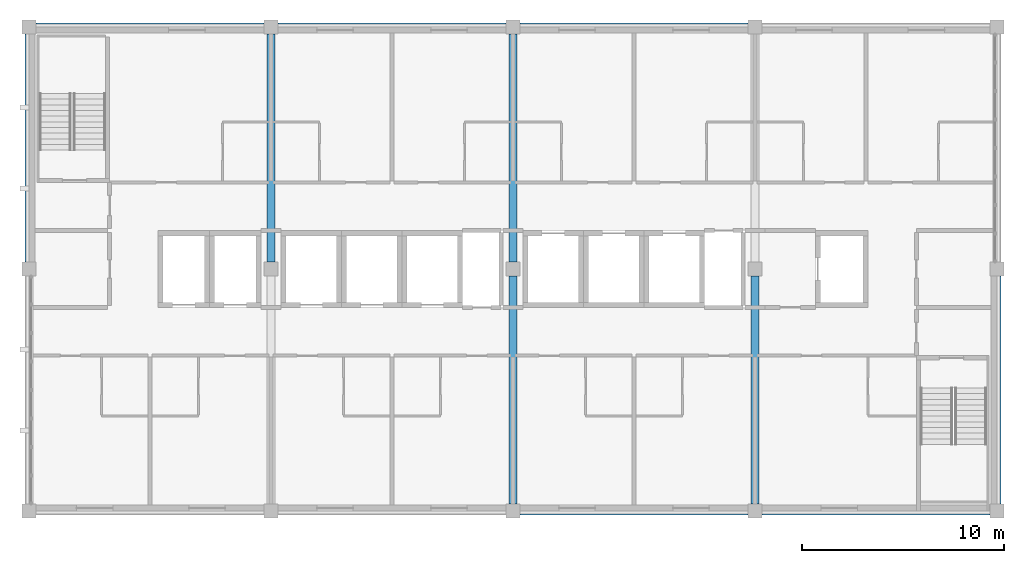
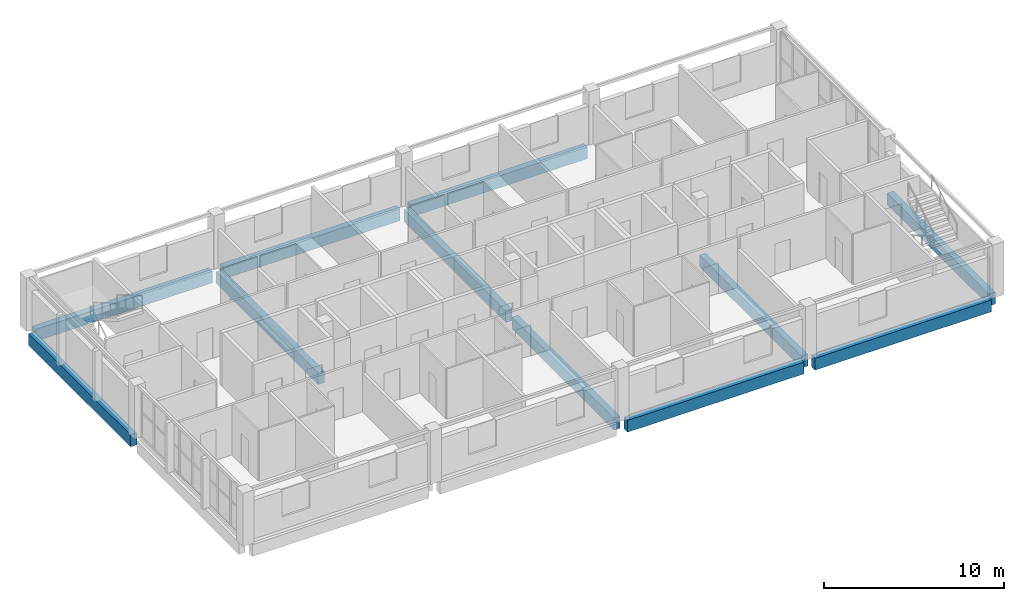
# One storey, part 3 of 11: 11 beams.
"""IFC4 building model written with IfcOpenShell, lengths in metres."""

from ifc_helpers import new_model, si_unit, direction, frame, origin, origin_2d, place, context, subcontext, project, spatial, rectangle, extrude, material, material_profile, profile_set, type_object, element, save


model = new_model("IFC4")

# Units and contexts
model_context = context("Model", 3, precision=1e-05, world=origin(), true_north=direction((0.0, 1.0)))
body_context = subcontext(model_context, "Body", "Model", "MODEL_VIEW")
ifc_project = project(units=[si_unit("LENGTHUNIT", "METRE"), si_unit("AREAUNIT", "SQUARE_METRE"), si_unit("VOLUMEUNIT", "CUBIC_METRE"), si_unit("PLANEANGLEUNIT", "RADIAN"), si_unit("MASSUNIT", "GRAM", prefix="KILO")], contexts=[model_context])

# Site, building, storey
site_placement = place(None, origin())
site = spatial("IfcSite", under=ifc_project, at=site_placement, CompositionType="ELEMENT")
building_placement = place(site_placement, origin())
building = spatial("IfcBuilding", under=site, at=building_placement, Name="Lilac Gate Convention Centre", CompositionType="ELEMENT")
storey_placement = place(building_placement, frame((0.0, 0.0, 60.60009765625)))
storey = spatial("IfcBuildingStorey", under=building, at=storey_placement, Name="L15", CompositionType="ELEMENT", Elevation=60.60009765625)

# Beams
ifc_material = material(Name="Concrete C40", Category="concrete")
ifc_material_profile = material_profile(ifc_material, rectangle(XDim=0.39990234375, YDim=0.800048828125, at=origin_2d()), Name="RC 400x800")
ifc_profile_set = profile_set([ifc_material_profile], Name="Concrete C40")
beam_type = type_object("IfcBeamType", Name="Tower primary beam 400x800 C40", PredefinedType="BEAM", material=ifc_profile_set)
for number, where, z_axis, x_axis, name in (
    (1, (66.35009765625, 222.0, -0.60009765625), (1.0, 0.0, 0.0), (0.0, 1.0, 0.0), "RB3 L15 6/S-7/S"),
    (2, (78.35009765625, 222.0, -0.60009765625), (1.0, 0.0, 0.0), (0.0, 1.0, 0.0), "RB3 L15 7/S-8/S"),
    (3, (42.35009765625, 246.0, -0.60009765625), (1.0, 0.0, 0.0), (0.0, 1.0, 0.0), "RB3 L15 4/U-5/U"),
    (4, (54.35009765625, 246.0, -0.60009765625), (1.0, 0.0, 0.0), (0.0, 1.0, 0.0), "RB3 L15 5/U-6/U"),
    (5, (66.35009765625, 246.0, -0.60009765625), (1.0, 0.0, 0.0), (0.0, 1.0, 0.0), "RB3 L15 6/U-7/U"),
    (6, (42.0, 234.35009765625, -0.60009765625), (0.0, 1.0, 0.0), (-1.0, 0.0, 0.0), "RB3 L15 4/T-4/U"),
    (7, (54.0, 234.35009765625, -0.60009765625), (0.0, 1.0, 0.0), (-1.0, 0.0, 0.0), "RB3 L15 5/T-5/U"),
    (8, (66.0, 222.35009765625, -0.60009765625), (0.0, 1.0, 0.0), (-1.0, 0.0, 0.0), "RB3 L15 6/S-6/T"),
    (9, (66.0, 234.35009765625, -0.60009765625), (0.0, 1.0, 0.0), (-1.0, 0.0, 0.0), "RB3 L15 6/T-6/U"),
    (10, (78.0, 222.35009765625, -0.60009765625), (0.0, 1.0, 0.0), (-1.0, 0.0, 0.0), "RB3 L15 7/S-7/T"),
    (11, (90.0, 222.35009765625, -0.60009765625), (0.0, 1.0, 0.0), (-1.0, 0.0, 0.0), "RB3 L15 8/S-8/T"),
):
    element("IfcBeam", number, at=place(storey_placement, frame(where, z_axis=z_axis, x_axis=x_axis)), inside=storey, type_object=beam_type, Name=name, PredefinedType="BEAM", context=body_context, shape_type="SweptSolid", body=[
        extrude(rectangle(XDim=0.39990234375, YDim=0.800048828125, at=origin_2d()), origin(), (0.0, 0.0, 1.0), 11.2998046875),
    ])

save(model, "model.ifc")
